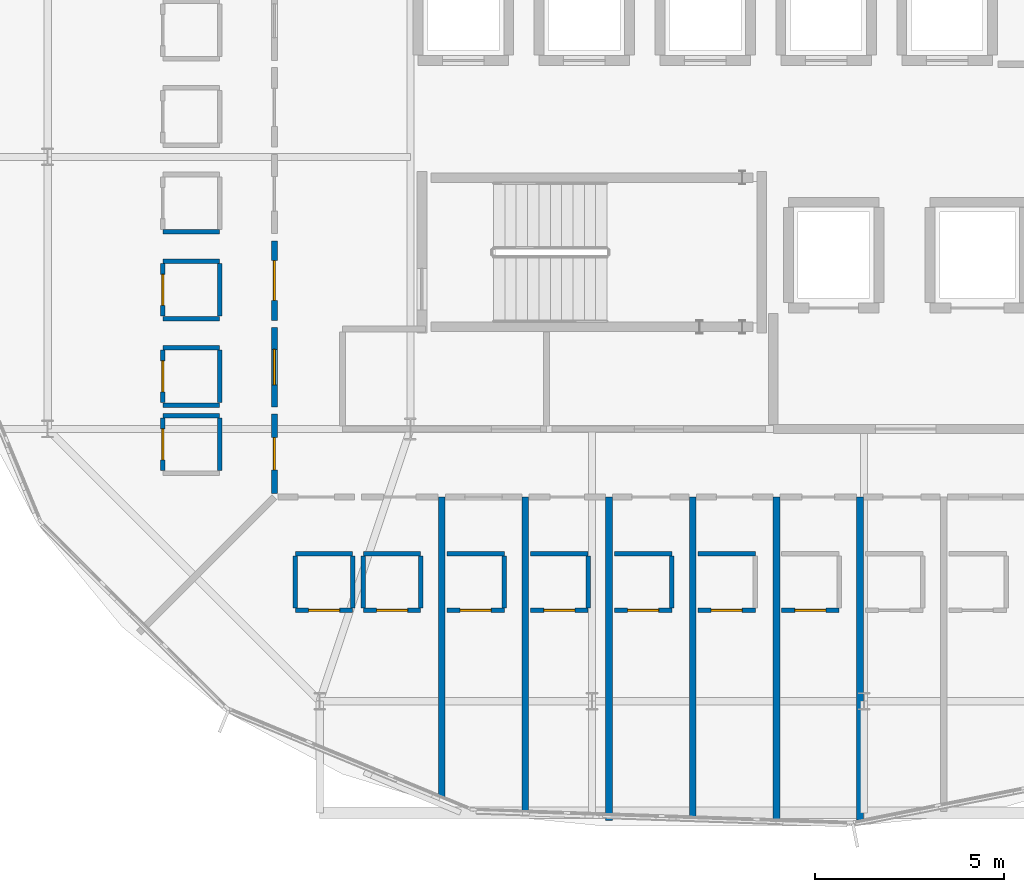
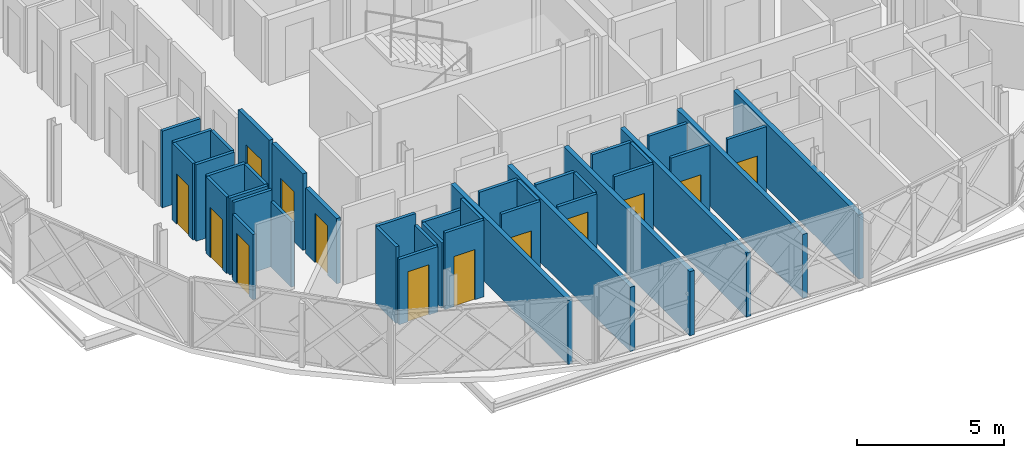
# One storey, part 13 of 25: 41 walls, 13 doors, 13 openings.
"""IFC4 building model written with IfcOpenShell, lengths in metres."""

from ifc_helpers import new_model, si_unit, direction, frame, frame_2d, origin, place, context, subcontext, project, spatial, rectangle, extrude, material, layer, layer_set, type_object, element, fill, save


model = new_model("IFC4")

# Units and contexts
model_context = context("Model", 3, precision=1e-05, world=origin(), true_north=direction((0.0, 1.0)))
body_context = subcontext(model_context, "Body", "Model", "MODEL_VIEW")
ifc_project = project(units=[si_unit("LENGTHUNIT", "METRE"), si_unit("AREAUNIT", "SQUARE_METRE"), si_unit("VOLUMEUNIT", "CUBIC_METRE"), si_unit("PLANEANGLEUNIT", "RADIAN"), si_unit("MASSUNIT", "GRAM", prefix="KILO")], contexts=[model_context])

# Site, building, storey
site_placement = place(None, origin())
site = spatial("IfcSite", under=ifc_project, at=site_placement, CompositionType="ELEMENT")
building_placement = place(site_placement, origin())
building = spatial("IfcBuilding", under=site, at=building_placement, Name="Zevrakil Square Congress Hotel", CompositionType="ELEMENT")
storey_placement = place(building_placement, frame((0.0, 0.0, 28.300048828125)))
storey = spatial("IfcBuildingStorey", under=building, at=storey_placement, Name="L08", CompositionType="ELEMENT", Elevation=28.300048828125)

# Wall, opening, door
ifc_material_1 = material(Name="Gypsum Acoustic Stud Partition")
ifc_layer_1 = layer(ifc_material_1, 0.159912109375)
ifc_layer_set_1 = layer_set([ifc_layer_1], Name="Gypsum Acoustic Stud Partition")
wall_type_1 = type_object("IfcWallType", Name="WAL-CORR-160", PredefinedType="PARTITIONING", material=ifc_layer_set_1)
wall_1_placement = place(storey_placement, frame((133.199951171875, 19.6767578125, 0.0), z_axis=(0.0, 0.0, 1.0), x_axis=(0.0, 1.0, 0.0)))
wall_1 = element("IfcWall", 1, at=wall_1_placement, inside=storey, type_object=wall_type_1, Name="L08 interior partition PW-L08-1333", PredefinedType="PARTITIONING", context=body_context, shape_type="SweptSolid", body=[
    extrude(rectangle(XDim=2.100830078125, YDim=0.159912109375, at=frame_2d((1.05029296875, 0.0))), origin(), (0.0, 0.0, 1.0), 3.175048828125),
])
opening_1_placement = place(wall_1_placement, frame((0.52294921875, 0.0, 0.0)))
opening_1 = element("IfcOpeningElement", 2, at=opening_1_placement, cuts=wall_1, Name="Opening ID-G09", PredefinedType="OPENING", context=body_context, shape_type="SweptSolid", body=[
    extrude(rectangle(XDim=1.054931640625, YDim=2.050048828125, at=frame_2d((0.52734375, 1.02490234375))), frame((0.0, 0.08984375, 0.0), z_axis=(0.0, -1.0, 0.0), x_axis=(1.0, 0.0, 0.0)), (0.0, 0.0, 1.0), 0.179931640625),
])
ifc_material_2 = material(Name="Acoustic Timber Fire Door", Category="wood")
door_type_1 = type_object("IfcDoorType", Name="DOR-INT-G09", OperationType="NOTDEFINED", PredefinedType="DOOR", material=ifc_material_2)
door_1_placement = place(opening_1_placement, origin())
door_1 = element("IfcDoor", 3, at=door_1_placement, inside=storey, type_object=door_type_1, Name="L08 interior door 521", OperationType="SINGLE_SWING_LEFT", OverallHeight=2.050048828125, OverallWidth=1.054931640625, PredefinedType="DOOR", context=body_context, shape_type="SweptSolid", body=[
    extrude(rectangle(XDim=1.054931640625, YDim=2.050048828125, at=frame_2d((0.52734375, 1.02490234375))), frame((0.0, 0.02490234375, 0.0), z_axis=(0.0, -1.0, 0.0), x_axis=(1.0, 0.0, 0.0)), (0.0, 0.0, 1.0), 0.050048828125),
])
fill(opening_1, door_1)

wall_2_placement = place(storey_placement, frame((133.199951171875, 17.385986328125, 0.0), z_axis=(0.0, 0.0, 1.0), x_axis=(0.0, 1.0, 0.0)))
wall_2 = element("IfcWall", 4, at=wall_2_placement, inside=storey, type_object=wall_type_1, Name="L08 interior partition PW-L08-1338", PredefinedType="PARTITIONING", context=body_context, shape_type="SweptSolid", body=[
    extrude(rectangle(XDim=2.100830078125, YDim=0.159912109375, at=frame_2d((1.05029296875, 0.0))), origin(), (0.0, 0.0, 1.0), 3.175048828125),
])
opening_2_placement = place(wall_2_placement, frame((0.58251953125, 0.0, 0.0)))
opening_2 = element("IfcOpeningElement", 5, at=opening_2_placement, cuts=wall_2, Name="Opening ID-H08", PredefinedType="OPENING", context=body_context, shape_type="SweptSolid", body=[
    extrude(rectangle(XDim=0.93603515625, YDim=2.070068359375, at=frame_2d((0.468017578125, 1.03515625))), frame((0.0, 0.08984375, 0.0), z_axis=(0.0, -1.0, 0.0), x_axis=(1.0, 0.0, 0.0)), (0.0, 0.0, 1.0), 0.179931640625),
])
ifc_material_3 = material(Name="Acoustic Timber Fire Door", Category="wood")
door_type_2 = type_object("IfcDoorType", Name="DOR-INT-H08", OperationType="NOTDEFINED", PredefinedType="DOOR", material=ifc_material_3)
door_2_placement = place(opening_2_placement, origin())
door_2 = element("IfcDoor", 6, at=door_2_placement, inside=storey, type_object=door_type_2, Name="L08 interior door 523", OperationType="SINGLE_SWING_LEFT", OverallHeight=2.070068359375, OverallWidth=0.93603515625, PredefinedType="DOOR", context=body_context, shape_type="SweptSolid", body=[
    extrude(rectangle(XDim=0.93603515625, YDim=2.070068359375, at=frame_2d((0.468017578125, 1.03515625))), frame((0.0, 0.02490234375, 0.0), z_axis=(0.0, -1.0, 0.0), x_axis=(1.0, 0.0, 0.0)), (0.0, 0.0, 1.0), 0.050048828125),
])
fill(opening_2, door_2)

wall_3_placement = place(storey_placement, frame((133.199951171875, 15.094970703125, 0.0), z_axis=(0.0, 0.0, 1.0), x_axis=(0.0, 1.0, 0.0)))
wall_3 = element("IfcWall", 7, at=wall_3_placement, inside=storey, type_object=wall_type_1, Name="L08 interior partition PW-L08-1343", PredefinedType="PARTITIONING", context=body_context, shape_type="SweptSolid", body=[
    extrude(rectangle(XDim=2.100830078125, YDim=0.159912109375, at=frame_2d((1.05029296875, 0.0))), origin(), (0.0, 0.0, 1.0), 2.7099609375),
])
opening_3_placement = place(wall_3_placement, frame((0.623046875, 0.0, 0.0)))
opening_3 = element("IfcOpeningElement", 8, at=opening_3_placement, cuts=wall_3, Name="Opening ID-G01", PredefinedType="OPENING", context=body_context, shape_type="SweptSolid", body=[
    extrude(rectangle(XDim=0.85498046875, YDim=2.050048828125, at=frame_2d((0.427490234375, 1.02490234375))), frame((0.0, 0.08984375, 0.0), z_axis=(0.0, -1.0, 0.0), x_axis=(1.0, 0.0, 0.0)), (0.0, 0.0, 1.0), 0.179931640625),
])
ifc_material_4 = material(Name="Acoustic Timber Fire Door", Category="wood")
door_type_3 = type_object("IfcDoorType", Name="DOR-INT-G01", OperationType="NOTDEFINED", PredefinedType="DOOR", material=ifc_material_4)
door_3_placement = place(opening_3_placement, origin())
door_3 = element("IfcDoor", 9, at=door_3_placement, inside=storey, type_object=door_type_3, Name="L08 interior door 525", OperationType="SINGLE_SWING_LEFT", OverallHeight=2.050048828125, OverallWidth=0.85498046875, PredefinedType="DOOR", context=body_context, shape_type="SweptSolid", body=[
    extrude(rectangle(XDim=0.85498046875, YDim=2.050048828125, at=frame_2d((0.427490234375, 1.02490234375))), frame((0.0, 0.02490234375, 0.0), z_axis=(0.0, -1.0, 0.0), x_axis=(1.0, 0.0, 0.0)), (0.0, 0.0, 1.0), 0.050048828125),
])
fill(opening_3, door_3)

ifc_material_5 = material(Name="Moisture-Resistant Gypsum Partition")
ifc_layer_2 = layer(ifc_material_5, 0.1201171875)
ifc_layer_set_2 = layer_set([ifc_layer_2], Name="Moisture-Resistant Gypsum Partition")
wall_type_2 = type_object("IfcWallType", Name="WAL-ENS-120", PredefinedType="PARTITIONING", material=ifc_layer_set_2)
wall_4_placement = place(storey_placement, frame((133.753662109375, 12.0, 0.0), z_axis=(0.0, 0.0, 1.0), x_axis=(1.0, 0.0, 0.0)))
wall_4 = element("IfcWall", 10, at=wall_4_placement, inside=storey, type_object=wall_type_2, Name="L08 interior partition PW-L08-1134", PredefinedType="PARTITIONING", context=body_context, shape_type="SweptSolid", body=[
    extrude(rectangle(XDim=1.52001953125, YDim=0.1201171875, at=frame_2d((0.760009765625, 0.0))), origin(), (0.0, 0.0, 1.0), 2.7099609375),
])
opening_4_placement = place(wall_4_placement, frame((0.35009765625, 0.0, 0.0)))
opening_4 = element("IfcOpeningElement", 11, at=opening_4_placement, cuts=wall_4, Name="Opening ID-11", PredefinedType="OPENING", context=body_context, shape_type="SweptSolid", body=[
    extrude(rectangle(XDim=0.820068359375, YDim=2.080078125, at=frame_2d((0.41015625, 1.0400390625))), frame((0.0, 0.070068359375, 0.0), z_axis=(0.0, -1.0, 0.0), x_axis=(1.0, 0.0, 0.0)), (0.0, 0.0, 1.0), 0.14013671875),
])
ifc_material_6 = material(Name="Acoustic Timber Door", Category="wood")
door_type_4 = type_object("IfcDoorType", Name="DOR-INT-V01", OperationType="NOTDEFINED", PredefinedType="DOOR", material=ifc_material_6)
door_4_placement = place(opening_4_placement, origin())
door_4 = element("IfcDoor", 12, at=door_4_placement, inside=storey, type_object=door_type_4, Name="L08 interior door 444", OperationType="SINGLE_SWING_RIGHT", OverallHeight=2.080078125, OverallWidth=0.820068359375, PredefinedType="DOOR", context=body_context, shape_type="SweptSolid", body=[
    extrude(rectangle(XDim=0.820068359375, YDim=2.080078125, at=frame_2d((0.41015625, 1.0400390625))), frame((0.0, 0.02490234375, 0.0), z_axis=(0.0, -1.0, 0.0), x_axis=(1.0, 0.0, 0.0)), (0.0, 0.0, 1.0), 0.050048828125),
])
fill(opening_4, door_4)

# Walls
wall_5_placement = place(storey_placement, frame((133.753662109375, 13.5, 0.0), z_axis=(0.0, 0.0, 1.0), x_axis=(1.0, 0.0, 0.0)))
element("IfcWall", 13, at=wall_5_placement, inside=storey, type_object=wall_type_2, Name="L08 interior partition PW-L08-1135", PredefinedType="PARTITIONING", context=body_context, shape_type="SweptSolid", body=[
    extrude(rectangle(XDim=1.52001953125, YDim=0.1201171875, at=frame_2d((0.760009765625, 0.0))), origin(), (0.0, 0.0, 1.0), 3.175048828125),
])
wall_6_placement = place(storey_placement, frame((133.753662109375, 12.06494140625, 0.0), z_axis=(0.0, 0.0, 1.0), x_axis=(0.0, 1.0, 0.0)))
element("IfcWall", 14, at=wall_6_placement, inside=storey, type_object=wall_type_2, Name="L08 interior partition PW-L08-1136", PredefinedType="PARTITIONING", context=body_context, shape_type="SweptSolid", body=[
    extrude(rectangle(XDim=1.3701171875, YDim=0.1201171875, at=frame_2d((0.68505859375, 0.0))), origin(), (0.0, 0.0, 1.0), 3.175048828125),
])
wall_7_placement = place(storey_placement, frame((135.273681640625, 12.06494140625, 0.0), z_axis=(0.0, 0.0, 1.0), x_axis=(0.0, 1.0, 0.0)))
element("IfcWall", 15, at=wall_7_placement, inside=storey, type_object=wall_type_2, Name="L08 interior partition PW-L08-1137", PredefinedType="PARTITIONING", context=body_context, shape_type="SweptSolid", body=[
    extrude(rectangle(XDim=1.3701171875, YDim=0.1201171875, at=frame_2d((0.68505859375, 0.0))), origin(), (0.0, 0.0, 1.0), 2.7099609375),
])

# Wall, opening, door
wall_8_placement = place(storey_placement, frame((135.5537109375, 12.0, 0.0), z_axis=(0.0, 0.0, 1.0), x_axis=(1.0, 0.0, 0.0)))
wall_8 = element("IfcWall", 16, at=wall_8_placement, inside=storey, type_object=wall_type_2, Name="L08 interior partition PW-L08-1140", PredefinedType="PARTITIONING", context=body_context, shape_type="SweptSolid", body=[
    extrude(rectangle(XDim=1.519775390625, YDim=0.1201171875, at=frame_2d((0.759765625, 0.0))), origin(), (0.0, 0.0, 1.0), 3.175048828125),
])
opening_5_placement = place(wall_8_placement, frame((0.35009765625, 0.0, 0.0)))
opening_5 = element("IfcOpeningElement", 17, at=opening_5_placement, cuts=wall_8, Name="Opening ID-11", PredefinedType="OPENING", context=body_context, shape_type="SweptSolid", body=[
    extrude(rectangle(XDim=0.820068359375, YDim=2.080078125, at=frame_2d((0.41015625, 1.0400390625))), frame((0.0, 0.070068359375, 0.0), z_axis=(0.0, -1.0, 0.0), x_axis=(1.0, 0.0, 0.0)), (0.0, 0.0, 1.0), 0.14013671875),
])
door_5_placement = place(opening_5_placement, origin())
door_5 = element("IfcDoor", 18, at=door_5_placement, inside=storey, type_object=door_type_4, Name="L08 interior door 446", OperationType="SINGLE_SWING_RIGHT", OverallHeight=2.080078125, OverallWidth=0.820068359375, PredefinedType="DOOR", context=body_context, shape_type="SweptSolid", body=[
    extrude(rectangle(XDim=0.820068359375, YDim=2.080078125, at=frame_2d((0.41015625, 1.0400390625))), frame((0.0, 0.02490234375, 0.0), z_axis=(0.0, -1.0, 0.0), x_axis=(1.0, 0.0, 0.0)), (0.0, 0.0, 1.0), 0.050048828125),
])
fill(opening_5, door_5)

# Walls
wall_9_placement = place(storey_placement, frame((135.5537109375, 13.5, 0.0), z_axis=(0.0, 0.0, 1.0), x_axis=(1.0, 0.0, 0.0)))
element("IfcWall", 19, at=wall_9_placement, inside=storey, type_object=wall_type_2, Name="L08 interior partition PW-L08-1141", PredefinedType="PARTITIONING", context=body_context, shape_type="SweptSolid", body=[
    extrude(rectangle(XDim=1.519775390625, YDim=0.1201171875, at=frame_2d((0.759765625, 0.0))), origin(), (0.0, 0.0, 1.0), 2.7099609375),
])
wall_10_placement = place(storey_placement, frame((135.5537109375, 12.06494140625, 0.0), z_axis=(0.0, 0.0, 1.0), x_axis=(0.0, 1.0, 0.0)))
element("IfcWall", 20, at=wall_10_placement, inside=storey, type_object=wall_type_2, Name="L08 interior partition PW-L08-1142", PredefinedType="PARTITIONING", context=body_context, shape_type="SweptSolid", body=[
    extrude(rectangle(XDim=1.3701171875, YDim=0.1201171875, at=frame_2d((0.68505859375, 0.0))), origin(), (0.0, 0.0, 1.0), 2.7099609375),
])
wall_11_placement = place(storey_placement, frame((137.073486328125, 12.06494140625, 0.0), z_axis=(0.0, 0.0, 1.0), x_axis=(0.0, 1.0, 0.0)))
element("IfcWall", 21, at=wall_11_placement, inside=storey, type_object=wall_type_2, Name="L08 interior partition PW-L08-1143", PredefinedType="PARTITIONING", context=body_context, shape_type="SweptSolid", body=[
    extrude(rectangle(XDim=1.3701171875, YDim=0.1201171875, at=frame_2d((0.68505859375, 0.0))), origin(), (0.0, 0.0, 1.0), 3.175048828125),
])

# Wall, opening, door
wall_12_placement = place(storey_placement, frame((137.767333984375, 12.0, 0.0), z_axis=(0.0, 0.0, 1.0), x_axis=(1.0, 0.0, 0.0)))
wall_12 = element("IfcWall", 22, at=wall_12_placement, inside=storey, type_object=wall_type_2, Name="L08 interior partition PW-L08-1146", PredefinedType="PARTITIONING", context=body_context, shape_type="SweptSolid", body=[
    extrude(rectangle(XDim=1.52001953125, YDim=0.1201171875, at=frame_2d((0.760009765625, 0.0))), origin(), (0.0, 0.0, 1.0), 3.175048828125),
])
opening_6_placement = place(wall_12_placement, frame((0.35009765625, 0.0, 0.0)))
opening_6 = element("IfcOpeningElement", 23, at=opening_6_placement, cuts=wall_12, Name="Opening ID-11", PredefinedType="OPENING", context=body_context, shape_type="SweptSolid", body=[
    extrude(rectangle(XDim=0.820068359375, YDim=2.080078125, at=frame_2d((0.41015625, 1.0400390625))), frame((0.0, 0.070068359375, 0.0), z_axis=(0.0, -1.0, 0.0), x_axis=(1.0, 0.0, 0.0)), (0.0, 0.0, 1.0), 0.14013671875),
])
door_6_placement = place(opening_6_placement, origin())
door_6 = element("IfcDoor", 24, at=door_6_placement, inside=storey, type_object=door_type_4, Name="L08 interior door 448", OperationType="SINGLE_SWING_RIGHT", OverallHeight=2.080078125, OverallWidth=0.820068359375, PredefinedType="DOOR", context=body_context, shape_type="SweptSolid", body=[
    extrude(rectangle(XDim=0.820068359375, YDim=2.080078125, at=frame_2d((0.41015625, 1.0400390625))), frame((0.0, 0.02490234375, 0.0), z_axis=(0.0, -1.0, 0.0), x_axis=(1.0, 0.0, 0.0)), (0.0, 0.0, 1.0), 0.050048828125),
])
fill(opening_6, door_6)

# Walls
wall_13_placement = place(storey_placement, frame((137.767333984375, 13.5, 0.0), z_axis=(0.0, 0.0, 1.0), x_axis=(1.0, 0.0, 0.0)))
element("IfcWall", 25, at=wall_13_placement, inside=storey, type_object=wall_type_2, Name="L08 interior partition PW-L08-1147", PredefinedType="PARTITIONING", context=body_context, shape_type="SweptSolid", body=[
    extrude(rectangle(XDim=1.52001953125, YDim=0.1201171875, at=frame_2d((0.760009765625, 0.0))), origin(), (0.0, 0.0, 1.0), 3.175048828125),
])
wall_14_placement = place(storey_placement, frame((139.287353515625, 12.06494140625, 0.0), z_axis=(0.0, 0.0, 1.0), x_axis=(0.0, 1.0, 0.0)))
element("IfcWall", 26, at=wall_14_placement, inside=storey, type_object=wall_type_2, Name="L08 interior partition PW-L08-1148", PredefinedType="PARTITIONING", context=body_context, shape_type="SweptSolid", body=[
    extrude(rectangle(XDim=1.3701171875, YDim=0.1201171875, at=frame_2d((0.68505859375, 0.0))), origin(), (0.0, 0.0, 1.0), 3.175048828125),
])

# Wall, opening, door
wall_15_placement = place(storey_placement, frame((139.98095703125, 12.0, 0.0), z_axis=(0.0, 0.0, 1.0), x_axis=(1.0, 0.0, 0.0)))
wall_15 = element("IfcWall", 27, at=wall_15_placement, inside=storey, type_object=wall_type_2, Name="L08 interior partition PW-L08-1151", PredefinedType="PARTITIONING", context=body_context, shape_type="SweptSolid", body=[
    extrude(rectangle(XDim=1.52001953125, YDim=0.1201171875, at=frame_2d((0.760009765625, 0.0))), origin(), (0.0, 0.0, 1.0), 2.7099609375),
])
opening_7_placement = place(wall_15_placement, frame((0.35009765625, 0.0, 0.0)))
opening_7 = element("IfcOpeningElement", 28, at=opening_7_placement, cuts=wall_15, Name="Opening ID-11", PredefinedType="OPENING", context=body_context, shape_type="SweptSolid", body=[
    extrude(rectangle(XDim=0.820068359375, YDim=2.080078125, at=frame_2d((0.41015625, 1.0400390625))), frame((0.0, 0.070068359375, 0.0), z_axis=(0.0, -1.0, 0.0), x_axis=(1.0, 0.0, 0.0)), (0.0, 0.0, 1.0), 0.14013671875),
])
door_7_placement = place(opening_7_placement, origin())
door_7 = element("IfcDoor", 29, at=door_7_placement, inside=storey, type_object=door_type_4, Name="L08 interior door 450", OperationType="SINGLE_SWING_RIGHT", OverallHeight=2.080078125, OverallWidth=0.820068359375, PredefinedType="DOOR", context=body_context, shape_type="SweptSolid", body=[
    extrude(rectangle(XDim=0.820068359375, YDim=2.080078125, at=frame_2d((0.41015625, 1.0400390625))), frame((0.0, 0.02490234375, 0.0), z_axis=(0.0, -1.0, 0.0), x_axis=(1.0, 0.0, 0.0)), (0.0, 0.0, 1.0), 0.050048828125),
])
fill(opening_7, door_7)

# Walls
wall_16_placement = place(storey_placement, frame((139.98095703125, 13.5, 0.0), z_axis=(0.0, 0.0, 1.0), x_axis=(1.0, 0.0, 0.0)))
element("IfcWall", 30, at=wall_16_placement, inside=storey, type_object=wall_type_2, Name="L08 interior partition PW-L08-1152", PredefinedType="PARTITIONING", context=body_context, shape_type="SweptSolid", body=[
    extrude(rectangle(XDim=1.52001953125, YDim=0.1201171875, at=frame_2d((0.760009765625, 0.0))), origin(), (0.0, 0.0, 1.0), 2.7099609375),
])
wall_17_placement = place(storey_placement, frame((141.5009765625, 12.06494140625, 0.0), z_axis=(0.0, 0.0, 1.0), x_axis=(0.0, 1.0, 0.0)))
element("IfcWall", 31, at=wall_17_placement, inside=storey, type_object=wall_type_2, Name="L08 interior partition PW-L08-1153", PredefinedType="PARTITIONING", context=body_context, shape_type="SweptSolid", body=[
    extrude(rectangle(XDim=1.3701171875, YDim=0.1201171875, at=frame_2d((0.68505859375, 0.0))), origin(), (0.0, 0.0, 1.0), 2.7099609375),
])

# Wall, opening, door
wall_18_placement = place(storey_placement, frame((142.194580078125, 12.0, 0.0), z_axis=(0.0, 0.0, 1.0), x_axis=(1.0, 0.0, 0.0)))
wall_18 = element("IfcWall", 32, at=wall_18_placement, inside=storey, type_object=wall_type_2, Name="L08 interior partition PW-L08-1156", PredefinedType="PARTITIONING", context=body_context, shape_type="SweptSolid", body=[
    extrude(rectangle(XDim=1.52001953125, YDim=0.1201171875, at=frame_2d((0.760009765625, 0.0))), origin(), (0.0, 0.0, 1.0), 3.175048828125),
])
opening_8_placement = place(wall_18_placement, frame((0.35009765625, 0.0, 0.0)))
opening_8 = element("IfcOpeningElement", 33, at=opening_8_placement, cuts=wall_18, Name="Opening ID-11", PredefinedType="OPENING", context=body_context, shape_type="SweptSolid", body=[
    extrude(rectangle(XDim=0.820068359375, YDim=2.080078125, at=frame_2d((0.41015625, 1.0400390625))), frame((0.0, 0.070068359375, 0.0), z_axis=(0.0, -1.0, 0.0), x_axis=(1.0, 0.0, 0.0)), (0.0, 0.0, 1.0), 0.14013671875),
])
door_8_placement = place(opening_8_placement, origin())
door_8 = element("IfcDoor", 34, at=door_8_placement, inside=storey, type_object=door_type_4, Name="L08 interior door 452", OperationType="SINGLE_SWING_RIGHT", OverallHeight=2.080078125, OverallWidth=0.820068359375, PredefinedType="DOOR", context=body_context, shape_type="SweptSolid", body=[
    extrude(rectangle(XDim=0.820068359375, YDim=2.080078125, at=frame_2d((0.41015625, 1.0400390625))), frame((0.0, 0.02490234375, 0.0), z_axis=(0.0, -1.0, 0.0), x_axis=(1.0, 0.0, 0.0)), (0.0, 0.0, 1.0), 0.050048828125),
])
fill(opening_8, door_8)

# Walls
wall_19_placement = place(storey_placement, frame((142.194580078125, 13.5, 0.0), z_axis=(0.0, 0.0, 1.0), x_axis=(1.0, 0.0, 0.0)))
element("IfcWall", 35, at=wall_19_placement, inside=storey, type_object=wall_type_2, Name="L08 interior partition PW-L08-1157", PredefinedType="PARTITIONING", context=body_context, shape_type="SweptSolid", body=[
    extrude(rectangle(XDim=1.52001953125, YDim=0.1201171875, at=frame_2d((0.760009765625, 0.0))), origin(), (0.0, 0.0, 1.0), 3.175048828125),
])
wall_20_placement = place(storey_placement, frame((143.714599609375, 12.06494140625, 0.0), z_axis=(0.0, 0.0, 1.0), x_axis=(0.0, 1.0, 0.0)))
element("IfcWall", 36, at=wall_20_placement, inside=storey, type_object=wall_type_2, Name="L08 interior partition PW-L08-1158", PredefinedType="PARTITIONING", context=body_context, shape_type="SweptSolid", body=[
    extrude(rectangle(XDim=1.3701171875, YDim=0.1201171875, at=frame_2d((0.68505859375, 0.0))), origin(), (0.0, 0.0, 1.0), 3.175048828125),
])

# Wall, opening, door
wall_21_placement = place(storey_placement, frame((144.408203125, 12.0, 0.0), z_axis=(0.0, 0.0, 1.0), x_axis=(1.0, 0.0, 0.0)))
wall_21 = element("IfcWall", 37, at=wall_21_placement, inside=storey, type_object=wall_type_2, Name="L08 interior partition PW-L08-1161", PredefinedType="PARTITIONING", context=body_context, shape_type="SweptSolid", body=[
    extrude(rectangle(XDim=1.52001953125, YDim=0.1201171875, at=frame_2d((0.760009765625, 0.0))), origin(), (0.0, 0.0, 1.0), 3.175048828125),
])
opening_9_placement = place(wall_21_placement, frame((0.35009765625, 0.0, 0.0)))
opening_9 = element("IfcOpeningElement", 38, at=opening_9_placement, cuts=wall_21, Name="Opening ID-11", PredefinedType="OPENING", context=body_context, shape_type="SweptSolid", body=[
    extrude(rectangle(XDim=0.820068359375, YDim=2.080078125, at=frame_2d((0.41015625, 1.0400390625))), frame((0.0, 0.070068359375, 0.0), z_axis=(0.0, -1.0, 0.0), x_axis=(1.0, 0.0, 0.0)), (0.0, 0.0, 1.0), 0.14013671875),
])
door_9_placement = place(opening_9_placement, origin())
door_9 = element("IfcDoor", 39, at=door_9_placement, inside=storey, type_object=door_type_4, Name="L08 interior door 454", OperationType="SINGLE_SWING_RIGHT", OverallHeight=2.080078125, OverallWidth=0.820068359375, PredefinedType="DOOR", context=body_context, shape_type="SweptSolid", body=[
    extrude(rectangle(XDim=0.820068359375, YDim=2.080078125, at=frame_2d((0.41015625, 1.0400390625))), frame((0.0, 0.02490234375, 0.0), z_axis=(0.0, -1.0, 0.0), x_axis=(1.0, 0.0, 0.0)), (0.0, 0.0, 1.0), 0.050048828125),
])
fill(opening_9, door_9)

# Wall
wall_22_placement = place(storey_placement, frame((144.408203125, 13.5, 0.0), z_axis=(0.0, 0.0, 1.0), x_axis=(1.0, 0.0, 0.0)))
element("IfcWall", 40, at=wall_22_placement, inside=storey, type_object=wall_type_2, Name="L08 interior partition PW-L08-1162", PredefinedType="PARTITIONING", context=body_context, shape_type="SweptSolid", body=[
    extrude(rectangle(XDim=1.52001953125, YDim=0.1201171875, at=frame_2d((0.760009765625, 0.0))), origin(), (0.0, 0.0, 1.0), 3.175048828125),
])

# Wall, opening, door
wall_23_placement = place(storey_placement, frame((146.621826171875, 12.0, 0.0), z_axis=(0.0, 0.0, 1.0), x_axis=(1.0, 0.0, 0.0)))
wall_23 = element("IfcWall", 41, at=wall_23_placement, inside=storey, type_object=wall_type_2, Name="L08 interior partition PW-L08-1166", PredefinedType="PARTITIONING", context=body_context, shape_type="SweptSolid", body=[
    extrude(rectangle(XDim=1.52001953125, YDim=0.1201171875, at=frame_2d((0.760009765625, 0.0))), origin(), (0.0, 0.0, 1.0), 3.175048828125),
])
opening_10_placement = place(wall_23_placement, frame((0.35009765625, 0.0, 0.0)))
opening_10 = element("IfcOpeningElement", 42, at=opening_10_placement, cuts=wall_23, Name="Opening ID-11", PredefinedType="OPENING", context=body_context, shape_type="SweptSolid", body=[
    extrude(rectangle(XDim=0.820068359375, YDim=2.080078125, at=frame_2d((0.41015625, 1.0400390625))), frame((0.0, 0.070068359375, 0.0), z_axis=(0.0, -1.0, 0.0), x_axis=(1.0, 0.0, 0.0)), (0.0, 0.0, 1.0), 0.14013671875),
])
door_10_placement = place(opening_10_placement, origin())
door_10 = element("IfcDoor", 43, at=door_10_placement, inside=storey, type_object=door_type_4, Name="L08 interior door 456", OperationType="SINGLE_SWING_RIGHT", OverallHeight=2.080078125, OverallWidth=0.820068359375, PredefinedType="DOOR", context=body_context, shape_type="SweptSolid", body=[
    extrude(rectangle(XDim=0.820068359375, YDim=2.080078125, at=frame_2d((0.41015625, 1.0400390625))), frame((0.0, 0.02490234375, 0.0), z_axis=(0.0, -1.0, 0.0), x_axis=(1.0, 0.0, 0.0)), (0.0, 0.0, 1.0), 0.050048828125),
])
fill(opening_10, door_10)

# Walls
for number, where, z_axis, x_axis, name in (
    (44, (130.25, 22.0126953125, 0.0), (0.0, 0.0, 1.0), (1.0, 0.0, 0.0), "L08 interior partition PW-L08-1329"),
    (45, (130.25, 19.7216796875, 0.0), (0.0, 0.0, 1.0), (1.0, 0.0, 0.0), "L08 interior partition PW-L08-1334"),
    (46, (130.25, 21.24169921875, 0.0), (0.0, 0.0, 1.0), (1.0, 0.0, 0.0), "L08 interior partition PW-L08-1335"),
):
    element("IfcWall", number, at=place(storey_placement, frame(where, z_axis=z_axis, x_axis=x_axis)), inside=storey, type_object=wall_type_2, Name=name, PredefinedType="PARTITIONING", context=body_context, shape_type="SweptSolid", body=[
        extrude(rectangle(XDim=1.5, YDim=0.1201171875, at=frame_2d((0.75, 0.0))), origin(), (0.0, 0.0, 1.0), 3.175048828125),
    ])

# Wall, opening, door
wall_24_placement = place(storey_placement, frame((130.25, 19.786865234375, 0.0), z_axis=(0.0, 0.0, 1.0), x_axis=(0.0, 1.0, 0.0)))
wall_24 = element("IfcWall", 47, at=wall_24_placement, inside=storey, type_object=wall_type_2, Name="L08 interior partition PW-L08-1336", PredefinedType="PARTITIONING", context=body_context, shape_type="SweptSolid", body=[
    extrude(rectangle(XDim=1.389892578125, YDim=0.1201171875, at=frame_2d((0.69482421875, 0.0))), origin(), (0.0, 0.0, 1.0), 3.175048828125),
])
opening_11_placement = place(wall_24_placement, frame((0.284912109375, 0.0, 0.0)))
opening_11 = element("IfcOpeningElement", 48, at=opening_11_placement, cuts=wall_24, Name="Opening ID-11", PredefinedType="OPENING", context=body_context, shape_type="SweptSolid", body=[
    extrude(rectangle(XDim=0.820068359375, YDim=2.080078125, at=frame_2d((0.41015625, 1.0400390625))), frame((0.0, 0.070068359375, 0.0), z_axis=(0.0, -1.0, 0.0), x_axis=(1.0, 0.0, 0.0)), (0.0, 0.0, 1.0), 0.14013671875),
])
door_11_placement = place(opening_11_placement, origin())
door_11 = element("IfcDoor", 49, at=door_11_placement, inside=storey, type_object=door_type_4, Name="L08 interior door 522", OperationType="SINGLE_SWING_RIGHT", OverallHeight=2.080078125, OverallWidth=0.820068359375, PredefinedType="DOOR", context=body_context, shape_type="SweptSolid", body=[
    extrude(rectangle(XDim=0.820068359375, YDim=2.080078125, at=frame_2d((0.41015625, 1.0400390625))), frame((0.0, 0.02490234375, 0.0), z_axis=(0.0, -1.0, 0.0), x_axis=(1.0, 0.0, 0.0)), (0.0, 0.0, 1.0), 0.050048828125),
])
fill(opening_11, door_11)

# Walls
wall_25_placement = place(storey_placement, frame((131.75, 19.786865234375, 0.0), z_axis=(0.0, 0.0, 1.0), x_axis=(0.0, 1.0, 0.0)))
element("IfcWall", 50, at=wall_25_placement, inside=storey, type_object=wall_type_2, Name="L08 interior partition PW-L08-1337", PredefinedType="PARTITIONING", context=body_context, shape_type="SweptSolid", body=[
    extrude(rectangle(XDim=1.389892578125, YDim=0.1201171875, at=frame_2d((0.69482421875, 0.0))), origin(), (0.0, 0.0, 1.0), 3.175048828125),
])
for number, where, z_axis, x_axis, name in (
    (51, (130.25, 17.430908203125, 0.0), (0.0, 0.0, 1.0), (1.0, 0.0, 0.0), "L08 interior partition PW-L08-1339"),
    (52, (130.25, 18.950927734375, 0.0), (0.0, 0.0, 1.0), (1.0, 0.0, 0.0), "L08 interior partition PW-L08-1340"),
):
    element("IfcWall", number, at=place(storey_placement, frame(where, z_axis=z_axis, x_axis=x_axis)), inside=storey, type_object=wall_type_2, Name=name, PredefinedType="PARTITIONING", context=body_context, shape_type="SweptSolid", body=[
        extrude(rectangle(XDim=1.5, YDim=0.1201171875, at=frame_2d((0.75, 0.0))), origin(), (0.0, 0.0, 1.0), 3.175048828125),
    ])

# Wall, opening, door
wall_26_placement = place(storey_placement, frame((130.25, 17.495849609375, 0.0), z_axis=(0.0, 0.0, 1.0), x_axis=(0.0, 1.0, 0.0)))
wall_26 = element("IfcWall", 53, at=wall_26_placement, inside=storey, type_object=wall_type_2, Name="L08 interior partition PW-L08-1341", PredefinedType="PARTITIONING", context=body_context, shape_type="SweptSolid", body=[
    extrude(rectangle(XDim=1.39013671875, YDim=0.1201171875, at=frame_2d((0.695068359375, 0.0))), origin(), (0.0, 0.0, 1.0), 3.175048828125),
])
opening_12_placement = place(wall_26_placement, frame((0.284912109375, 0.0, 0.0)))
opening_12 = element("IfcOpeningElement", 54, at=opening_12_placement, cuts=wall_26, Name="Opening ID-11", PredefinedType="OPENING", context=body_context, shape_type="SweptSolid", body=[
    extrude(rectangle(XDim=0.820068359375, YDim=2.080078125, at=frame_2d((0.41015625, 1.0400390625))), frame((0.0, 0.070068359375, 0.0), z_axis=(0.0, -1.0, 0.0), x_axis=(1.0, 0.0, 0.0)), (0.0, 0.0, 1.0), 0.14013671875),
])
door_12_placement = place(opening_12_placement, origin())
door_12 = element("IfcDoor", 55, at=door_12_placement, inside=storey, type_object=door_type_4, Name="L08 interior door 524", OperationType="SINGLE_SWING_RIGHT", OverallHeight=2.080078125, OverallWidth=0.820068359375, PredefinedType="DOOR", context=body_context, shape_type="SweptSolid", body=[
    extrude(rectangle(XDim=0.820068359375, YDim=2.080078125, at=frame_2d((0.41015625, 1.0400390625))), frame((0.0, 0.02490234375, 0.0), z_axis=(0.0, -1.0, 0.0), x_axis=(1.0, 0.0, 0.0)), (0.0, 0.0, 1.0), 0.050048828125),
])
fill(opening_12, door_12)

# Walls
wall_27_placement = place(storey_placement, frame((131.75, 17.495849609375, 0.0), z_axis=(0.0, 0.0, 1.0), x_axis=(0.0, 1.0, 0.0)))
element("IfcWall", 56, at=wall_27_placement, inside=storey, type_object=wall_type_2, Name="L08 interior partition PW-L08-1342", PredefinedType="PARTITIONING", context=body_context, shape_type="SweptSolid", body=[
    extrude(rectangle(XDim=1.39013671875, YDim=0.1201171875, at=frame_2d((0.695068359375, 0.0))), origin(), (0.0, 0.0, 1.0), 3.175048828125),
])
wall_28_placement = place(storey_placement, frame((130.25, 17.15087890625, 0.0), z_axis=(0.0, 0.0, 1.0), x_axis=(1.0, 0.0, 0.0)))
element("IfcWall", 57, at=wall_28_placement, inside=storey, type_object=wall_type_2, Name="L08 interior partition PW-L08-1345", PredefinedType="PARTITIONING", context=body_context, shape_type="SweptSolid", body=[
    extrude(rectangle(XDim=1.5, YDim=0.1201171875, at=frame_2d((0.75, 0.0))), origin(), (0.0, 0.0, 1.0), 3.175048828125),
])

# Wall, opening, door
wall_29_placement = place(storey_placement, frame((130.25, 15.69580078125, 0.0), z_axis=(0.0, 0.0, 1.0), x_axis=(0.0, 1.0, 0.0)))
wall_29 = element("IfcWall", 58, at=wall_29_placement, inside=storey, type_object=wall_type_2, Name="L08 interior partition PW-L08-1346", PredefinedType="PARTITIONING", context=body_context, shape_type="SweptSolid", body=[
    extrude(rectangle(XDim=1.39013671875, YDim=0.1201171875, at=frame_2d((0.695068359375, 0.0))), origin(), (0.0, 0.0, 1.0), 2.7099609375),
])
opening_13_placement = place(wall_29_placement, frame((0.284912109375, 0.0, 0.0)))
opening_13 = element("IfcOpeningElement", 59, at=opening_13_placement, cuts=wall_29, Name="Opening ID-11", PredefinedType="OPENING", context=body_context, shape_type="SweptSolid", body=[
    extrude(rectangle(XDim=0.820068359375, YDim=2.080078125, at=frame_2d((0.41015625, 1.0400390625))), frame((0.0, 0.070068359375, 0.0), z_axis=(0.0, -1.0, 0.0), x_axis=(1.0, 0.0, 0.0)), (0.0, 0.0, 1.0), 0.14013671875),
])
door_13_placement = place(opening_13_placement, origin())
door_13 = element("IfcDoor", 60, at=door_13_placement, inside=storey, type_object=door_type_4, Name="L08 interior door 526", OperationType="SINGLE_SWING_RIGHT", OverallHeight=2.080078125, OverallWidth=0.820068359375, PredefinedType="DOOR", context=body_context, shape_type="SweptSolid", body=[
    extrude(rectangle(XDim=0.820068359375, YDim=2.080078125, at=frame_2d((0.41015625, 1.0400390625))), frame((0.0, 0.02490234375, 0.0), z_axis=(0.0, -1.0, 0.0), x_axis=(1.0, 0.0, 0.0)), (0.0, 0.0, 1.0), 0.050048828125),
])
fill(opening_13, door_13)

# Walls
wall_30_placement = place(storey_placement, frame((131.75, 15.69580078125, 0.0), z_axis=(0.0, 0.0, 1.0), x_axis=(0.0, 1.0, 0.0)))
element("IfcWall", 61, at=wall_30_placement, inside=storey, type_object=wall_type_2, Name="L08 interior partition PW-L08-1347", PredefinedType="PARTITIONING", context=body_context, shape_type="SweptSolid", body=[
    extrude(rectangle(XDim=1.39013671875, YDim=0.1201171875, at=frame_2d((0.695068359375, 0.0))), origin(), (0.0, 0.0, 1.0), 2.7099609375),
])
ifc_material_7 = material(Name="Gypsum Twin-Stud Party Partition")
ifc_layer_3 = layer(ifc_material_7, 0.179931640625)
ifc_layer_set_3 = layer_set([ifc_layer_3], Name="Gypsum Twin-Stud Party Partition")
wall_type_3 = type_object("IfcWallType", Name="WAL-PARTY-180", PredefinedType="PARTITIONING", material=ifc_layer_set_3)
wall_31_placement = place(storey_placement, frame((137.627197265625, 7.034912109375, 0.0), z_axis=(0.0, 0.0, 1.0), x_axis=(0.0, 1.0, 0.0)))
element("IfcWall", 62, at=wall_31_placement, inside=storey, type_object=wall_type_3, Name="L08 interior partition PW-L08-1144", PredefinedType="PARTITIONING", context=body_context, shape_type="SweptSolid", body=[
    extrude(rectangle(XDim=7.965087890625, YDim=0.179931640625, at=frame_2d((3.982421875, 0.0))), origin(), (0.0, 0.0, 1.0), 2.659912109375),
])
wall_32_placement = place(storey_placement, frame((139.8408203125, 6.644775390625, 0.0), z_axis=(0.0, 0.0, 1.0), x_axis=(0.0, 1.0, 0.0)))
element("IfcWall", 63, at=wall_32_placement, inside=storey, type_object=wall_type_3, Name="L08 interior partition PW-L08-1149", PredefinedType="PARTITIONING", context=body_context, shape_type="SweptSolid", body=[
    extrude(rectangle(XDim=8.355224609375, YDim=0.179931640625, at=frame_2d((4.177734375, 0.0))), origin(), (0.0, 0.0, 1.0), 2.659912109375),
])
for number, where, z_axis, x_axis, name in (
    (64, (142.054443359375, 6.435546875, 0.0), (0.0, 0.0, 1.0), (0.0, 1.0, 0.0), "L08 interior partition PW-L08-1154"),
    (65, (144.268310546875, 6.435546875, 0.0), (0.0, 0.0, 1.0), (0.0, 1.0, 0.0), "L08 interior partition PW-L08-1159"),
    (66, (146.481689453125, 6.435546875, 0.0), (0.0, 0.0, 1.0), (0.0, 1.0, 0.0), "L08 interior partition PW-L08-1164"),
):
    element("IfcWall", number, at=place(storey_placement, frame(where, z_axis=z_axis, x_axis=x_axis)), inside=storey, type_object=wall_type_3, Name=name, PredefinedType="PARTITIONING", context=body_context, shape_type="SweptSolid", body=[
        extrude(rectangle(XDim=8.564453125, YDim=0.179931640625, at=frame_2d((4.2822265625, 0.0))), origin(), (0.0, 0.0, 1.0), 2.659912109375),
    ])
wall_33_placement = place(storey_placement, frame((148.695556640625, 6.461181640625, 0.0), z_axis=(0.0, 0.0, 1.0), x_axis=(0.0, 1.0, 0.0)))
element("IfcWall", 67, at=wall_33_placement, inside=storey, type_object=wall_type_3, Name="L08 interior partition PW-L08-1169", PredefinedType="PARTITIONING", context=body_context, shape_type="SweptSolid", body=[
    extrude(rectangle(XDim=8.538818359375, YDim=0.179931640625, at=frame_2d((4.26953125, 0.0))), origin(), (0.0, 0.0, 1.0), 2.659912109375),
])

save(model, "model.ifc")
